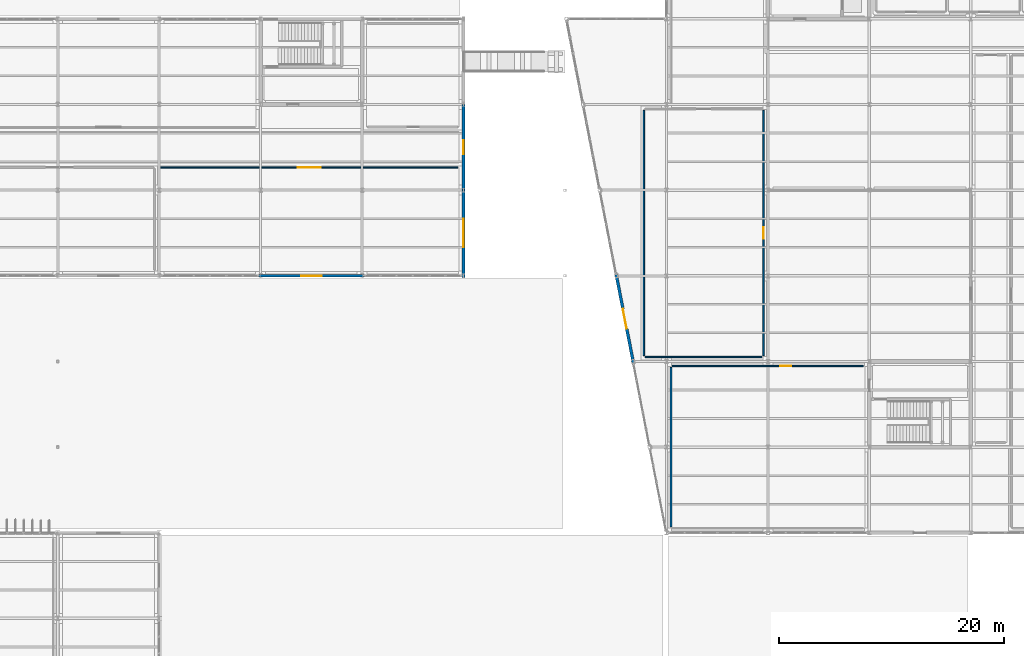
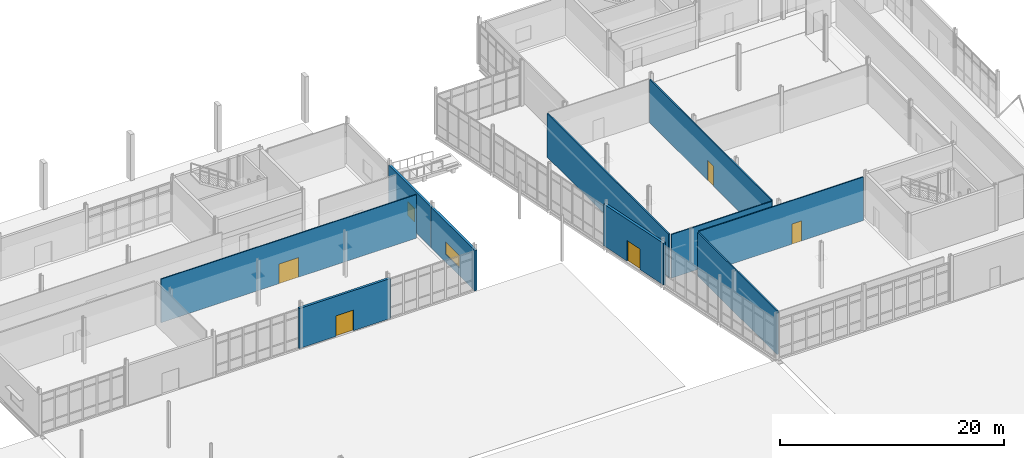
# One storey, part 146 of 161: 10 walls, 5 doors, 2 windows, 7 openings.
"""IFC4 building model written with IfcOpenShell, lengths in metres."""

from ifc_helpers import new_model, si_unit, direction, frame, frame_2d, origin, place, context, subcontext, project, spatial, rectangle, extrude, material, layer, layer_set, type_object, element, fill, save


model = new_model("IFC4")

# Units and contexts
model_context = context("Model", 3, precision=1e-05, world=origin(), true_north=direction((0.0, 1.0)))
body_context = subcontext(model_context, "Body", "Model", "MODEL_VIEW")
ifc_project = project(units=[si_unit("LENGTHUNIT", "METRE"), si_unit("AREAUNIT", "SQUARE_METRE"), si_unit("VOLUMEUNIT", "CUBIC_METRE"), si_unit("PLANEANGLEUNIT", "RADIAN"), si_unit("MASSUNIT", "GRAM", prefix="KILO")], contexts=[model_context])

# Site, building, storey
site_placement = place(None, origin())
site = spatial("IfcSite", under=ifc_project, at=site_placement, CompositionType="ELEMENT")
building_placement = place(site_placement, origin())
building = spatial("IfcBuilding", under=site, at=building_placement, Name="Caisbarro Railhouse Central Library", CompositionType="ELEMENT")
storey_placement = place(building_placement, origin())
storey = spatial("IfcBuildingStorey", under=building, at=storey_placement, Name="L00", CompositionType="ELEMENT", Elevation=0.0)

# Wall, opening, door
ifc_material_1 = material(Name="Concrete C35 insulated architectural precast", Category="concrete")
ifc_layer_1 = layer(ifc_material_1, 0.239990234375, Name="Concrete C35 insulated architectural precast")
ifc_layer_set_1 = layer_set([ifc_layer_1], Name="Concrete C35 insulated architectural precast")
wall_type_1 = type_object("IfcWallType", Name="WAL-EW24", PredefinedType="STANDARD", material=ifc_layer_set_1)
wall_1_placement = place(storey_placement, frame((80.7900390625, 83.60009765625, 0.0), z_axis=(0.0, 0.0, 1.0), x_axis=(1.0, 0.0, 0.0)))
wall_1 = element("IfcWall", 1, at=wall_1_placement, inside=storey, type_object=wall_type_1, Name="EW24 exterior wall L00 #233", PredefinedType="STANDARD", context=body_context, shape_type="SweptSolid", body=[
    extrude(rectangle(XDim=9.419921875, YDim=0.239990234375, at=frame_2d((4.7099609375, 0.0))), origin(), (0.0, 0.0, 1.0), 4.37109375),
])
opening_1_placement = place(wall_1_placement, frame((3.81005859375, 0.0, 0.0)))
opening_1 = element("IfcOpeningElement", 2, at=opening_1_placement, cuts=wall_1, Name="Opening ED01", PredefinedType="OPENING", context=body_context, shape_type="SweptSolid", body=[
    extrude(rectangle(XDim=1.800048828125, YDim=2.25, at=frame_2d((0.89990234375, 1.125))), frame((0.0, 0.1298828125, 0.0), z_axis=(0.0, -1.0, 0.0), x_axis=(1.0, 0.0, 0.0)), (0.0, 0.0, 1.0), 0.260009765625),
])
ifc_material_2 = material(Name="Thermally broken anodised aluminium and safety glass", Category="aluminium")
door_type_1 = type_object("IfcDoorType", Name="DR-ED01", OperationType="NOTDEFINED", PredefinedType="DOOR", material=ifc_material_2)
door_1_placement = place(opening_1_placement, frame((1.800048828125, 0.0, 0.0), z_axis=(0.0, 0.0, 1.0), x_axis=(-1.0, 0.0, 0.0)))
door_1 = element("IfcDoor", 3, at=door_1_placement, inside=storey, type_object=door_type_1, Name="Exit Door ED01 L00-42", OperationType="SINGLE_SWING_RIGHT", OverallHeight=2.25, OverallWidth=1.800048828125, PredefinedType="DOOR", context=body_context, shape_type="SweptSolid", body=[
    extrude(rectangle(XDim=1.800048828125, YDim=2.25, at=frame_2d((0.89990234375, 1.125))), frame((0.0, 0.02490234375, 0.0), z_axis=(0.0, -1.0, 0.0), x_axis=(1.0, 0.0, 0.0)), (0.0, 0.0, 1.0), 0.050048828125),
])
fill(opening_1, door_1)

# Wall, opening, window
wall_2_placement = place(storey_placement, frame((99.0, 83.389892578125, 0.0), z_axis=(0.0, 0.0, 1.0), x_axis=(0.0, 1.0, 0.0)))
wall_2 = element("IfcWall", 4, at=wall_2_placement, inside=storey, type_object=wall_type_1, Name="EW24 exterior wall L00 #236", PredefinedType="STANDARD", context=body_context, shape_type="SweptSolid", body=[
    extrude(rectangle(XDim=7.81005859375, YDim=0.239990234375, at=frame_2d((3.905029296875, 0.0))), origin(), (0.0, 0.0, 1.0), 4.4208984375),
])
opening_2_placement = place(wall_2_placement, frame((2.735107421875, 0.0, 0.85009765625)))
opening_2 = element("IfcOpeningElement", 5, at=opening_2_placement, cuts=wall_2, Name="Opening W18", PredefinedType="OPENING", context=body_context, shape_type="SweptSolid", body=[
    extrude(rectangle(XDim=2.550048828125, YDim=1.35009765625, at=frame_2d((1.27490234375, 0.675048828125))), frame((0.0, 0.1298828125, 0.0), z_axis=(0.0, -1.0, 0.0), x_axis=(1.0, 0.0, 0.0)), (0.0, 0.0, 1.0), 0.260009765625),
])
ifc_material_3 = material(Name="Double low-e laminated solar-control glass", Category="glass")
window_type_1 = type_object("IfcWindowType", Name="WIN-W18", PartitioningType="SINGLE_PANEL", PredefinedType="WINDOW", material=ifc_material_3)
window_1_placement = place(opening_2_placement, origin())
window_1 = element("IfcWindow", 6, at=window_1_placement, inside=storey, type_object=window_type_1, Name="W18 window L00-084", OverallHeight=1.35009765625, OverallWidth=2.550048828125, PartitioningType="SINGLE_PANEL", PredefinedType="WINDOW", context=body_context, shape_type="SweptSolid", body=[
    extrude(rectangle(XDim=2.550048828125, YDim=1.35009765625, at=frame_2d((1.27490234375, 0.675048828125))), frame((0.0, 0.030029296875, 0.0), z_axis=(0.0, -1.0, 0.0), x_axis=(1.0, 0.0, 0.0)), (0.0, 0.0, 1.0), 0.06005859375),
])
fill(opening_2, window_1)

wall_3_placement = place(storey_placement, frame((99.0, 91.199951171875, 0.0), z_axis=(0.0, 0.0, 1.0), x_axis=(0.0, 1.0, 0.0)))
wall_3 = element("IfcWall", 7, at=wall_3_placement, inside=storey, type_object=wall_type_1, Name="EW24 exterior wall L00 #238", PredefinedType="STANDARD", context=body_context, shape_type="SweptSolid", body=[
    extrude(rectangle(XDim=7.60009765625, YDim=0.239990234375, at=frame_2d((3.800048828125, 0.0))), origin(), (0.0, 0.0, 1.0), 4.4208984375),
])
opening_3_placement = place(wall_3_placement, frame((3.175048828125, 0.0, 0.85009765625)))
opening_3 = element("IfcOpeningElement", 8, at=opening_3_placement, cuts=wall_3, Name="Opening W20", PredefinedType="OPENING", context=body_context, shape_type="SweptSolid", body=[
    extrude(rectangle(XDim=1.25, YDim=1.5, at=frame_2d((0.625, 0.75))), frame((0.0, 0.1298828125, 0.0), z_axis=(0.0, -1.0, 0.0), x_axis=(1.0, 0.0, 0.0)), (0.0, 0.0, 1.0), 0.260009765625),
])
window_type_2 = type_object("IfcWindowType", Name="WIN-W20", PartitioningType="SINGLE_PANEL", PredefinedType="WINDOW", material=ifc_material_3)
window_2_placement = place(opening_3_placement, origin())
window_2 = element("IfcWindow", 9, at=window_2_placement, inside=storey, type_object=window_type_2, Name="W20 window L00-086", OverallHeight=1.5, OverallWidth=1.25, PartitioningType="SINGLE_PANEL", PredefinedType="WINDOW", context=body_context, shape_type="SweptSolid", body=[
    extrude(rectangle(XDim=1.25, YDim=1.5, at=frame_2d((0.625, 0.75))), frame((0.0, 0.030029296875, 0.0), z_axis=(0.0, -1.0, 0.0), x_axis=(1.0, 0.0, 0.0)), (0.0, 0.0, 1.0), 0.06005859375),
])
fill(opening_3, window_2)

# Wall, opening, door
ifc_layer_2 = layer(ifc_material_1, 0.260009765625, Name="Concrete C35 insulated architectural precast")
ifc_layer_set_2 = layer_set([ifc_layer_2], Name="Concrete C35 insulated architectural precast")
wall_type_2 = type_object("IfcWallType", Name="WAL-EW26", PredefinedType="STANDARD", material=ifc_layer_set_2)
wall_4_placement = place(storey_placement, frame((114.085205078125, 75.7939453125, 0.0), z_axis=(0.0, 0.0, 1.0), x_axis=(-0.190804009547, 0.981628152582, 0.0)))
wall_4 = element("IfcWall", 10, at=wall_4_placement, inside=storey, type_object=wall_type_2, Name="EW26 exterior wall L00 #200", PredefinedType="STANDARD", context=body_context, shape_type="SweptSolid", body=[
    extrude(rectangle(XDim=8.162109375, YDim=0.260009765625, at=frame_2d((4.0810546875, 0.0))), origin(), (0.0, 0.0, 1.0), 4.55810546875),
])
opening_4_placement = place(wall_4_placement, frame((3.18115234375, 0.0, 0.0)))
opening_4 = element("IfcOpeningElement", 11, at=opening_4_placement, cuts=wall_4, Name="Opening ED01", PredefinedType="OPENING", context=body_context, shape_type="SweptSolid", body=[
    extrude(rectangle(XDim=1.800048828125, YDim=2.25, at=frame_2d((0.89990234375, 1.125))), frame((0.0, 0.14013671875, 0.0), z_axis=(0.0, -1.0, 0.0), x_axis=(1.0, 0.0, 0.0)), (0.0, 0.0, 1.0), 0.280029296875),
])
door_2_placement = place(opening_4_placement, origin())
door_2 = element("IfcDoor", 12, at=door_2_placement, inside=storey, type_object=door_type_1, Name="Exit Door ED01 L00-35", OperationType="SINGLE_SWING_LEFT", OverallHeight=2.25, OverallWidth=1.800048828125, PredefinedType="DOOR", context=body_context, shape_type="SweptSolid", body=[
    extrude(rectangle(XDim=1.800048828125, YDim=2.25, at=frame_2d((0.89990234375, 1.125))), frame((0.0, 0.02490234375, 0.0), z_axis=(0.0, -1.0, 0.0), x_axis=(1.0, 0.0, 0.0)), (0.0, 0.0, 1.0), 0.050048828125),
])
fill(opening_4, door_2)

ifc_material_4 = material(Name="Acoustic gypsum board on galvanised steel studs", Category="steel")
ifc_layer_3 = layer(ifc_material_4, 0.110107421875, Name="Acoustic gypsum board on galvanised steel studs")
ifc_layer_set_3 = layer_set([ifc_layer_3], Name="Acoustic gypsum board on galvanised steel studs")
wall_type_3 = type_object("IfcWallType", Name="WAL-IW11", PredefinedType="PARTITIONING", material=ifc_layer_set_3)
wall_5_placement = place(storey_placement, frame((72.1201171875, 93.199951171875, 0.0), z_axis=(0.0, 0.0, 1.0), x_axis=(1.0, 0.0, 0.0)))
wall_5 = element("IfcWall", 13, at=wall_5_placement, inside=storey, type_object=wall_type_3, Name="IW11 partition wall L00 #316", PredefinedType="PARTITIONING", context=body_context, shape_type="SweptSolid", body=[
    extrude(rectangle(XDim=26.35986328125, YDim=0.110107421875, at=frame_2d((13.179931640625, 0.0))), origin(), (0.0, 0.0, 1.0), 4.760009765625),
])
opening_5_placement = place(wall_5_placement, frame((12.1650390625, 0.0, 0.0)))
opening_5 = element("IfcOpeningElement", 14, at=opening_5_placement, cuts=wall_5, Name="Opening ID39", PredefinedType="OPENING", context=body_context, shape_type="SweptSolid", body=[
    extrude(rectangle(XDim=2.030029296875, YDim=2.14990234375, at=frame_2d((1.01513671875, 1.074951171875))), frame((0.0, 0.06494140625, 0.0), z_axis=(0.0, -1.0, 0.0), x_axis=(1.0, 0.0, 0.0)), (0.0, 0.0, 1.0), 0.130126953125),
])
ifc_material_5 = material(Name="Solid-core tropical hardwood veneer", Category="wood")
door_type_2 = type_object("IfcDoorType", Name="DR-ID39", OperationType="NOTDEFINED", PredefinedType="DOOR", material=ifc_material_5)
door_3_placement = place(opening_5_placement, origin())
door_3 = element("IfcDoor", 15, at=door_3_placement, inside=storey, type_object=door_type_2, Name="Civic Lecture Hall Door ID39 L00-201", OperationType="SINGLE_SWING_LEFT", OverallHeight=2.14990234375, OverallWidth=2.030029296875, PredefinedType="DOOR", context=body_context, shape_type="SweptSolid", body=[
    extrude(rectangle(XDim=2.030029296875, YDim=2.14990234375, at=frame_2d((1.01513671875, 1.074951171875))), frame((0.0, 0.02490234375, 0.0), z_axis=(0.0, -1.0, 0.0), x_axis=(1.0, 0.0, 0.0)), (0.0, 0.0, 1.0), 0.050048828125),
])
fill(opening_5, door_3)

wall_6_placement = place(storey_placement, frame((117.52001953125, 75.60009765625, 0.0), z_axis=(0.0, 0.0, 1.0), x_axis=(1.0, 0.0, 0.0)))
wall_6 = element("IfcWall", 16, at=wall_6_placement, inside=storey, type_object=wall_type_3, Name="IW11 partition wall L00 #320", PredefinedType="PARTITIONING", context=body_context, shape_type="SweptSolid", body=[
    extrude(rectangle(XDim=16.9599609375, YDim=0.110107421875, at=frame_2d((8.47998046875, 0.0))), origin(), (0.0, 0.0, 1.0), 4.760009765625),
])
opening_6_placement = place(wall_6_placement, frame((9.594970703125, 0.0, 0.0)))
opening_6 = element("IfcOpeningElement", 17, at=opening_6_placement, cuts=wall_6, Name="Opening ID42", PredefinedType="OPENING", context=body_context, shape_type="SweptSolid", body=[
    extrude(rectangle(XDim=0.969970703125, YDim=2.199951171875, at=frame_2d((0.48486328125, 1.10009765625))), frame((0.0, 0.06494140625, 0.0), z_axis=(0.0, -1.0, 0.0), x_axis=(1.0, 0.0, 0.0)), (0.0, 0.0, 1.0), 0.130126953125),
])
door_type_3 = type_object("IfcDoorType", Name="DR-ID42", OperationType="NOTDEFINED", PredefinedType="DOOR", material=ifc_material_5)
door_4_placement = place(opening_6_placement, origin())
door_4 = element("IfcDoor", 18, at=door_4_placement, inside=storey, type_object=door_type_3, Name="Reference and Research Desk Hall Door ID42 L00-204", OperationType="SINGLE_SWING_RIGHT", OverallHeight=2.199951171875, OverallWidth=0.969970703125, PredefinedType="DOOR", context=body_context, shape_type="SweptSolid", body=[
    extrude(rectangle(XDim=0.969970703125, YDim=2.199951171875, at=frame_2d((0.48486328125, 1.10009765625))), frame((0.0, 0.02490234375, 0.0), z_axis=(0.0, -1.0, 0.0), x_axis=(1.0, 0.0, 0.0)), (0.0, 0.0, 1.0), 0.050048828125),
])
fill(opening_6, door_4)

# Wall
wall_7_placement = place(storey_placement, frame((115.1201171875, 76.39990234375, 0.0), z_axis=(0.0, 0.0, 1.0), x_axis=(1.0, 0.0, 0.0)))
element("IfcWall", 19, at=wall_7_placement, inside=storey, type_object=wall_type_3, Name="IW11 partition wall L00 #324", PredefinedType="PARTITIONING", context=body_context, shape_type="SweptSolid", body=[
    extrude(rectangle(XDim=10.35986328125, YDim=0.110107421875, at=frame_2d((5.179931640625, 0.0))), origin(), (0.0, 0.0, 1.0), 4.760009765625),
])

# Wall, opening, door
ifc_layer_4 = layer(ifc_material_4, 0.1298828125, Name="Acoustic gypsum board on galvanised steel studs")
ifc_layer_set_4 = layer_set([ifc_layer_4], Name="Acoustic gypsum board on galvanised steel studs")
wall_type_4 = type_object("IfcWallType", Name="WAL-IW13", PredefinedType="PARTITIONING", material=ifc_layer_set_4)
wall_8_placement = place(storey_placement, frame((125.60009765625, 76.52001953125, 0.0), z_axis=(0.0, 0.0, 1.0), x_axis=(0.0, 1.0, 0.0)))
wall_8 = element("IfcWall", 20, at=wall_8_placement, inside=storey, type_object=wall_type_4, Name="IW13 partition wall L00 #323", PredefinedType="PARTITIONING", context=body_context, shape_type="SweptSolid", body=[
    extrude(rectangle(XDim=21.760009765625, YDim=0.1298828125, at=frame_2d((10.8798828125, 0.0))), origin(), (0.0, 0.0, 1.0), 4.760009765625),
])
opening_7_placement = place(wall_8_placement, frame((10.35009765625, 0.0, 0.0)))
opening_7 = element("IfcOpeningElement", 21, at=opening_7_placement, cuts=wall_8, Name="Opening ID43", PredefinedType="OPENING", context=body_context, shape_type="SweptSolid", body=[
    extrude(rectangle(XDim=1.06005859375, YDim=2.199951171875, at=frame_2d((0.530029296875, 1.10009765625))), frame((0.0, 0.074951171875, 0.0), z_axis=(0.0, -1.0, 0.0), x_axis=(1.0, 0.0, 0.0)), (0.0, 0.0, 1.0), 0.14990234375),
])
door_type_4 = type_object("IfcDoorType", Name="DR-ID43", OperationType="NOTDEFINED", PredefinedType="DOOR", material=ifc_material_5)
door_5_placement = place(opening_7_placement, origin())
door_5 = element("IfcDoor", 22, at=door_5_placement, inside=storey, type_object=door_type_4, Name="Pernambuco Local History Reading Room Door ID43 L00-205", OperationType="SINGLE_SWING_LEFT", OverallHeight=2.199951171875, OverallWidth=1.06005859375, PredefinedType="DOOR", context=body_context, shape_type="SweptSolid", body=[
    extrude(rectangle(XDim=1.06005859375, YDim=2.199951171875, at=frame_2d((0.530029296875, 1.10009765625))), frame((0.0, 0.02490234375, 0.0), z_axis=(0.0, -1.0, 0.0), x_axis=(1.0, 0.0, 0.0)), (0.0, 0.0, 1.0), 0.050048828125),
])
fill(opening_7, door_5)

# Walls
ifc_layer_5 = layer(ifc_material_4, 0.14990234375, Name="Acoustic gypsum board on galvanised steel studs")
ifc_layer_set_5 = layer_set([ifc_layer_5], Name="Acoustic gypsum board on galvanised steel studs")
wall_type_5 = type_object("IfcWallType", Name="WAL-IW15", PredefinedType="PARTITIONING", material=ifc_layer_set_5)
wall_9_placement = place(storey_placement, frame((117.39990234375, 61.320068359375, 0.0), z_axis=(0.0, 0.0, 1.0), x_axis=(0.0, 1.0, 0.0)))
element("IfcWall", 23, at=wall_9_placement, inside=storey, type_object=wall_type_5, Name="IW15 partition wall L00 #322", PredefinedType="PARTITIONING", context=body_context, shape_type="SweptSolid", body=[
    extrude(rectangle(XDim=14.159912109375, YDim=0.14990234375, at=frame_2d((7.080078125, 0.0))), origin(), (0.0, 0.0, 1.0), 4.760009765625),
])
wall_10_placement = place(storey_placement, frame((115.0, 76.52001953125, 0.0), z_axis=(0.0, 0.0, 1.0), x_axis=(0.0, 1.0, 0.0)))
element("IfcWall", 24, at=wall_10_placement, inside=storey, type_object=wall_type_5, Name="IW15 partition wall L00 #326", PredefinedType="PARTITIONING", context=body_context, shape_type="SweptSolid", body=[
    extrude(rectangle(XDim=21.760009765625, YDim=0.14990234375, at=frame_2d((10.8798828125, 0.0))), origin(), (0.0, 0.0, 1.0), 4.760009765625),
])

save(model, "model.ifc")
